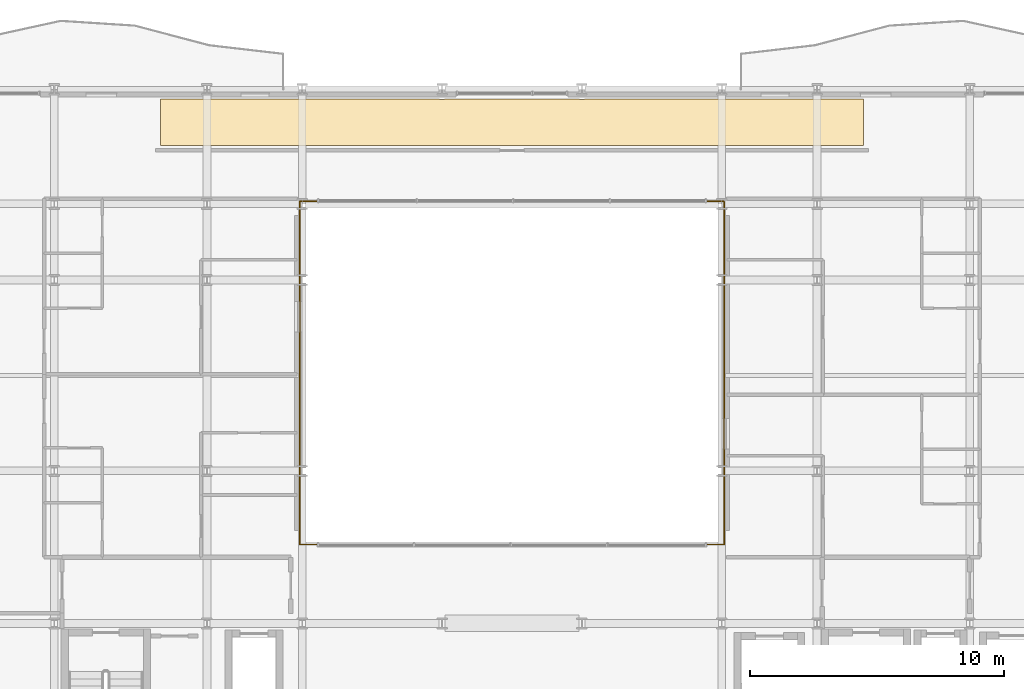
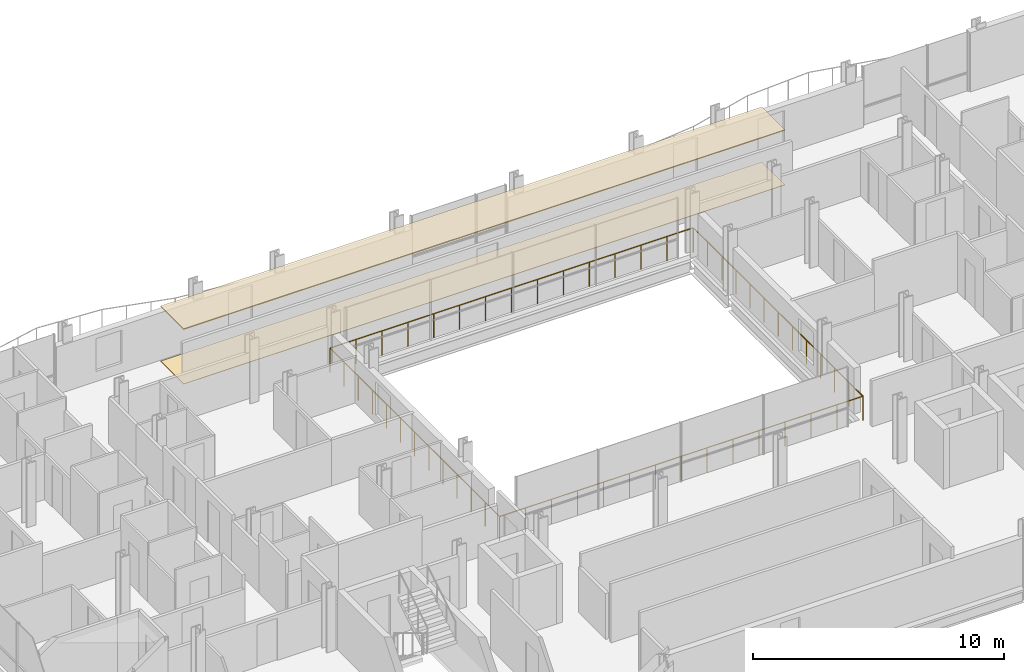
# One storey, part 39 of 41: 2 coverings, 2 railings.
"""IFC4 building model written with IfcOpenShell, lengths in metres."""

from ifc_helpers import new_model, si_unit, direction, frame, origin, origin_2d, place, context, subcontext, project, spatial, polyline, circle, outline, extrude, material, layer, layer_set, type_object, element, save


model = new_model("IFC4")

# Units and contexts
model_context = context("Model", 3, precision=1e-05, world=origin(), true_north=direction((0.0, 1.0)))
body_context = subcontext(model_context, "Body", "Model", "MODEL_VIEW")
ifc_project = project(units=[si_unit("LENGTHUNIT", "METRE"), si_unit("AREAUNIT", "SQUARE_METRE"), si_unit("VOLUMEUNIT", "CUBIC_METRE"), si_unit("PLANEANGLEUNIT", "RADIAN"), si_unit("MASSUNIT", "GRAM", prefix="KILO")], contexts=[model_context])

# Site, building, storey
site_placement = place(None, origin())
site = spatial("IfcSite", under=ifc_project, at=site_placement, CompositionType="ELEMENT")
building_placement = place(site_placement, origin())
building = spatial("IfcBuilding", under=site, at=building_placement, Name="Brevholm Reach", CompositionType="ELEMENT")
storey_placement = place(building_placement, frame((0.0, 0.0, 86.89990234375)))
storey = spatial("IfcBuildingStorey", under=building, at=storey_placement, Name="L25", CompositionType="ELEMENT", Elevation=86.89990234375)

# Coverings
ifc_material_1 = material(Name="Perforated Mineral-Fibre Class-A Acoustic Suspended Ceiling", Category="gypsum")
ifc_layer_1 = layer(ifc_material_1, 0.044921875)
ifc_layer_set_1 = layer_set([ifc_layer_1], Name="Perforated Mineral-Fibre Class-A Acoustic Suspended Ceiling")
covering_type_1 = type_object("IfcCoveringType", Name="COV-CLG-AC", PredefinedType="CEILING", material=ifc_layer_set_1)
covering_1_placement = place(storey_placement, frame((0.0, 0.0, 2.655029296875)))
element("IfcCovering", 1, at=covering_1_placement, inside=storey, type_object=covering_type_1, Name="L25 Suspended Ceiling L25-76", PredefinedType="CEILING", context=body_context, shape_type="SweptSolid", body=[
    extrude(outline(polyline([(16.179931640625, 30.6201171875), (17.876220703125, 30.6201171875), (17.8837890625, 30.6171875), (17.922119140625, 30.607666015625), (17.960693359375, 30.601806640625), (18.0, 30.60009765625), (18.039306640625, 30.601806640625), (18.077880859375, 30.607666015625), (18.1162109375, 30.6171875), (18.123779296875, 30.6201171875), (21.626220703125, 30.6201171875), (21.6337890625, 30.6171875), (21.672119140625, 30.607666015625), (21.710693359375, 30.601806640625), (21.75, 30.60009765625), (21.789306640625, 30.601806640625), (21.827880859375, 30.607666015625), (21.8662109375, 30.6171875), (21.873779296875, 30.6201171875), (27.126220703125, 30.6201171875), (27.1337890625, 30.6171875), (27.172119140625, 30.607666015625), (27.210693359375, 30.601806640625), (27.25, 30.60009765625), (27.289306640625, 30.601806640625), (27.327880859375, 30.607666015625), (27.3662109375, 30.6171875), (27.373779296875, 30.6201171875), (32.626220703125, 30.6201171875), (32.6337890625, 30.6171875), (32.672119140625, 30.607666015625), (32.710693359375, 30.601806640625), (32.75, 30.60009765625), (32.789306640625, 30.601806640625), (32.827880859375, 30.607666015625), (32.8662109375, 30.6171875), (32.873779296875, 30.6201171875), (38.126220703125, 30.6201171875), (38.1337890625, 30.6171875), (38.172119140625, 30.607666015625), (38.210693359375, 30.601806640625), (38.25, 30.60009765625), (38.289306640625, 30.601806640625), (38.327880859375, 30.607666015625), (38.3662109375, 30.6171875), (38.373779296875, 30.6201171875), (41.876220703125, 30.6201171875), (41.8837890625, 30.6171875), (41.922119140625, 30.607666015625), (41.960693359375, 30.601806640625), (42.0, 30.60009765625), (42.039306640625, 30.601806640625), (42.077880859375, 30.607666015625), (42.1162109375, 30.6171875), (42.123779296875, 30.6201171875), (43.820068359375, 30.6201171875), (43.820068359375, 28.783935546875), (16.179931640625, 28.783935546875), (16.179931640625, 30.6201171875)])), origin(), (0.0, 0.0, 1.0), 0.045166015625),
])
ifc_material_2 = material(Name="Engineered European Oak Acoustic Plank Flooring", Category="timber")
ifc_layer_2 = layer(ifc_material_2, 0.02197265625)
ifc_layer_set_2 = layer_set([ifc_layer_2], Name="Engineered European Oak Acoustic Plank Flooring")
covering_type_2 = type_object("IfcCoveringType", Name="COV-FLR-OAK", PredefinedType="FLOORING", material=ifc_layer_set_2)
covering_2_placement = place(storey_placement, origin())
element("IfcCovering", 2, at=covering_2_placement, inside=storey, type_object=covering_type_2, Name="L25 Floor Finish L25-76", PredefinedType="FLOORING", context=body_context, shape_type="SweptSolid", body=[
    extrude(outline(polyline([(16.179931640625, 30.6201171875), (17.876220703125, 30.6201171875), (17.8837890625, 30.6171875), (17.922119140625, 30.607666015625), (17.960693359375, 30.601806640625), (18.0, 30.60009765625), (18.039306640625, 30.601806640625), (18.077880859375, 30.607666015625), (18.1162109375, 30.6171875), (18.123779296875, 30.6201171875), (21.626220703125, 30.6201171875), (21.6337890625, 30.6171875), (21.672119140625, 30.607666015625), (21.710693359375, 30.601806640625), (21.75, 30.60009765625), (21.789306640625, 30.601806640625), (21.827880859375, 30.607666015625), (21.8662109375, 30.6171875), (21.873779296875, 30.6201171875), (27.126220703125, 30.6201171875), (27.1337890625, 30.6171875), (27.172119140625, 30.607666015625), (27.210693359375, 30.601806640625), (27.25, 30.60009765625), (27.289306640625, 30.601806640625), (27.327880859375, 30.607666015625), (27.3662109375, 30.6171875), (27.373779296875, 30.6201171875), (32.626220703125, 30.6201171875), (32.6337890625, 30.6171875), (32.672119140625, 30.607666015625), (32.710693359375, 30.601806640625), (32.75, 30.60009765625), (32.789306640625, 30.601806640625), (32.827880859375, 30.607666015625), (32.8662109375, 30.6171875), (32.873779296875, 30.6201171875), (38.126220703125, 30.6201171875), (38.1337890625, 30.6171875), (38.172119140625, 30.607666015625), (38.210693359375, 30.601806640625), (38.25, 30.60009765625), (38.289306640625, 30.601806640625), (38.327880859375, 30.607666015625), (38.3662109375, 30.6171875), (38.373779296875, 30.6201171875), (41.876220703125, 30.6201171875), (41.8837890625, 30.6171875), (41.922119140625, 30.607666015625), (41.960693359375, 30.601806640625), (42.0, 30.60009765625), (42.039306640625, 30.601806640625), (42.077880859375, 30.607666015625), (42.1162109375, 30.6171875), (42.123779296875, 30.6201171875), (43.820068359375, 30.6201171875), (43.820068359375, 28.783935546875), (16.179931640625, 28.783935546875), (16.179931640625, 30.6201171875)])), origin(), (0.0, 0.0, 1.0), 0.022216796875),
])

# Railings
ifc_material_3 = material(Name="Brushed Stainless Steel EN 1.4401 and Laminated Glass", Category="steel")
railing_type = type_object("IfcRailingType", Name="RAL-TERR-1200", PredefinedType="BALUSTRADE", material=ifc_material_3)
railing_1_placement = place(storey_placement, frame((21.64990234375, 13.10009765625, 0.0)))
element("IfcRailing", 3, at=railing_1_placement, inside=storey, type_object=railing_type, Name="L25 Guard Balustrade RAL-L25-AT-VOID-SW", PredefinedType="BALUSTRADE", context=body_context, shape_type="SweptSolid", body=[
    extrude(circle(Radius=0.02392578125, at=origin_2d()), frame((0.0, 0.0, 1.17578125), z_axis=(1.0, 0.0, 0.0), x_axis=(0.0, 1.0, 0.0)), (0.0, 0.0, 1.0), 16.7001953125),
    extrude(circle(Radius=0.02392578125, at=origin_2d()), frame((16.7001953125, 0.0, 1.17578125), z_axis=(0.0, 1.0, 0.0), x_axis=(-1.0, 0.0, 0.0)), (0.0, 0.0, 1.0), 13.47998046875),
    extrude(circle(Radius=0.02099609375, at=origin_2d()), origin(), (0.0, 0.0, 1.0), 1.15185546875),
    extrude(circle(Radius=0.02099609375, at=origin_2d()), frame((1.19287109375, 0.0, 0.0)), (0.0, 0.0, 1.0), 1.15185546875),
    extrude(circle(Radius=0.02099609375, at=origin_2d()), frame((2.3857421875, 0.0, 0.0)), (0.0, 0.0, 1.0), 1.15185546875),
    extrude(circle(Radius=0.02099609375, at=origin_2d()), frame((3.57861328125, 0.0, 0.0)), (0.0, 0.0, 1.0), 1.15185546875),
    extrude(circle(Radius=0.02099609375, at=origin_2d()), frame((4.771484375, 0.0, 0.0)), (0.0, 0.0, 1.0), 1.15185546875),
    extrude(circle(Radius=0.02099609375, at=origin_2d()), frame((5.96435546875, 0.0, 0.0)), (0.0, 0.0, 1.0), 1.15185546875),
    extrude(circle(Radius=0.02099609375, at=origin_2d()), frame((7.1572265625, 0.0, 0.0)), (0.0, 0.0, 1.0), 1.15185546875),
    extrude(circle(Radius=0.02099609375, at=origin_2d()), frame((8.35009765625, 0.0, 0.0)), (0.0, 0.0, 1.0), 1.15185546875),
    extrude(circle(Radius=0.02099609375, at=origin_2d()), frame((9.54296875, 0.0, 0.0)), (0.0, 0.0, 1.0), 1.15185546875),
    extrude(circle(Radius=0.02099609375, at=origin_2d()), frame((10.73583984375, 0.0, 0.0)), (0.0, 0.0, 1.0), 1.15185546875),
    extrude(circle(Radius=0.02099609375, at=origin_2d()), frame((11.9287109375, 0.0, 0.0)), (0.0, 0.0, 1.0), 1.15185546875),
    extrude(circle(Radius=0.02099609375, at=origin_2d()), frame((13.12158203125, 0.0, 0.0)), (0.0, 0.0, 1.0), 1.15185546875),
    extrude(circle(Radius=0.02099609375, at=origin_2d()), frame((14.314453125, 0.0, 0.0)), (0.0, 0.0, 1.0), 1.15185546875),
    extrude(circle(Radius=0.02099609375, at=origin_2d()), frame((15.50732421875, 0.0, 0.0)), (0.0, 0.0, 1.0), 1.15185546875),
    extrude(circle(Radius=0.02099609375, at=origin_2d()), frame((16.7001953125, 0.0, 0.0)), (0.0, 0.0, 1.0), 1.15185546875),
    extrude(circle(Radius=0.02099609375, at=origin_2d()), frame((16.7001953125, 1.123291015625, 0.0)), (0.0, 0.0, 1.0), 1.15185546875),
    extrude(circle(Radius=0.02099609375, at=origin_2d()), frame((16.7001953125, 2.24658203125, 0.0)), (0.0, 0.0, 1.0), 1.15185546875),
    extrude(circle(Radius=0.02099609375, at=origin_2d()), frame((16.7001953125, 3.3701171875, 0.0)), (0.0, 0.0, 1.0), 1.15185546875),
    extrude(circle(Radius=0.02099609375, at=origin_2d()), frame((16.7001953125, 4.493408203125, 0.0)), (0.0, 0.0, 1.0), 1.15185546875),
    extrude(circle(Radius=0.02099609375, at=origin_2d()), frame((16.7001953125, 5.61669921875, 0.0)), (0.0, 0.0, 1.0), 1.15185546875),
    extrude(circle(Radius=0.02099609375, at=origin_2d()), frame((16.7001953125, 6.739990234375, 0.0)), (0.0, 0.0, 1.0), 1.15185546875),
    extrude(circle(Radius=0.02099609375, at=origin_2d()), frame((16.7001953125, 7.86328125, 0.0)), (0.0, 0.0, 1.0), 1.15185546875),
    extrude(circle(Radius=0.02099609375, at=origin_2d()), frame((16.7001953125, 8.986572265625, 0.0)), (0.0, 0.0, 1.0), 1.15185546875),
    extrude(circle(Radius=0.02099609375, at=origin_2d()), frame((16.7001953125, 10.10986328125, 0.0)), (0.0, 0.0, 1.0), 1.15185546875),
    extrude(circle(Radius=0.02099609375, at=origin_2d()), frame((16.7001953125, 11.2333984375, 0.0)), (0.0, 0.0, 1.0), 1.15185546875),
    extrude(circle(Radius=0.02099609375, at=origin_2d()), frame((16.7001953125, 12.356689453125, 0.0)), (0.0, 0.0, 1.0), 1.15185546875),
    extrude(circle(Radius=0.02099609375, at=origin_2d()), frame((16.7001953125, 13.47998046875, 0.0)), (0.0, 0.0, 1.0), 1.15185546875),
])
railing_2_placement = place(storey_placement, frame((38.330078125, 26.60009765625, 0.0)))
element("IfcRailing", 4, at=railing_2_placement, inside=storey, type_object=railing_type, Name="L25 Guard Balustrade RAL-L25-AT-VOID-NE", PredefinedType="BALUSTRADE", context=body_context, shape_type="SweptSolid", body=[
    extrude(circle(Radius=0.02392578125, at=origin_2d()), frame((0.0, 0.0, 1.17578125), z_axis=(-1.0, 0.0, 0.0), x_axis=(0.0, -1.0, 0.0)), (0.0, 0.0, 1.0), 16.68017578125),
    extrude(circle(Radius=0.02392578125, at=origin_2d()), frame((-16.68017578125, 0.0, 1.17578125), z_axis=(0.0, -1.0, 0.0), x_axis=(1.0, 0.0, 0.0)), (0.0, 0.0, 1.0), 13.47998046875),
    extrude(circle(Radius=0.02099609375, at=origin_2d()), origin(), (0.0, 0.0, 1.0), 1.15185546875),
    extrude(circle(Radius=0.02099609375, at=origin_2d()), frame((-1.19140625, 0.0, 0.0)), (0.0, 0.0, 1.0), 1.15185546875),
    extrude(circle(Radius=0.02099609375, at=origin_2d()), frame((-2.3828125, 0.0, 0.0)), (0.0, 0.0, 1.0), 1.15185546875),
    extrude(circle(Radius=0.02099609375, at=origin_2d()), frame((-3.57421875, 0.0, 0.0)), (0.0, 0.0, 1.0), 1.15185546875),
    extrude(circle(Radius=0.02099609375, at=origin_2d()), frame((-4.765869140625, 0.0, 0.0)), (0.0, 0.0, 1.0), 1.15185546875),
    extrude(circle(Radius=0.02099609375, at=origin_2d()), frame((-5.957275390625, 0.0, 0.0)), (0.0, 0.0, 1.0), 1.15185546875),
    extrude(circle(Radius=0.02099609375, at=origin_2d()), frame((-7.148681640625, 0.0, 0.0)), (0.0, 0.0, 1.0), 1.15185546875),
    extrude(circle(Radius=0.02099609375, at=origin_2d()), frame((-8.340087890625, 0.0, 0.0)), (0.0, 0.0, 1.0), 1.15185546875),
    extrude(circle(Radius=0.02099609375, at=origin_2d()), frame((-9.531494140625, 0.0, 0.0)), (0.0, 0.0, 1.0), 1.15185546875),
    extrude(circle(Radius=0.02099609375, at=origin_2d()), frame((-10.722900390625, 0.0, 0.0)), (0.0, 0.0, 1.0), 1.15185546875),
    extrude(circle(Radius=0.02099609375, at=origin_2d()), frame((-11.914306640625, 0.0, 0.0)), (0.0, 0.0, 1.0), 1.15185546875),
    extrude(circle(Radius=0.02099609375, at=origin_2d()), frame((-13.10595703125, 0.0, 0.0)), (0.0, 0.0, 1.0), 1.15185546875),
    extrude(circle(Radius=0.02099609375, at=origin_2d()), frame((-14.29736328125, 0.0, 0.0)), (0.0, 0.0, 1.0), 1.15185546875),
    extrude(circle(Radius=0.02099609375, at=origin_2d()), frame((-15.48876953125, 0.0, 0.0)), (0.0, 0.0, 1.0), 1.15185546875),
    extrude(circle(Radius=0.02099609375, at=origin_2d()), frame((-16.68017578125, 0.0, 0.0)), (0.0, 0.0, 1.0), 1.15185546875),
    extrude(circle(Radius=0.02099609375, at=origin_2d()), frame((-16.68017578125, -1.123291015625, 0.0)), (0.0, 0.0, 1.0), 1.15185546875),
    extrude(circle(Radius=0.02099609375, at=origin_2d()), frame((-16.68017578125, -2.24658203125, 0.0)), (0.0, 0.0, 1.0), 1.15185546875),
    extrude(circle(Radius=0.02099609375, at=origin_2d()), frame((-16.68017578125, -3.3701171875, 0.0)), (0.0, 0.0, 1.0), 1.15185546875),
    extrude(circle(Radius=0.02099609375, at=origin_2d()), frame((-16.68017578125, -4.493408203125, 0.0)), (0.0, 0.0, 1.0), 1.15185546875),
    extrude(circle(Radius=0.02099609375, at=origin_2d()), frame((-16.68017578125, -5.61669921875, 0.0)), (0.0, 0.0, 1.0), 1.15185546875),
    extrude(circle(Radius=0.02099609375, at=origin_2d()), frame((-16.68017578125, -6.739990234375, 0.0)), (0.0, 0.0, 1.0), 1.15185546875),
    extrude(circle(Radius=0.02099609375, at=origin_2d()), frame((-16.68017578125, -7.86328125, 0.0)), (0.0, 0.0, 1.0), 1.15185546875),
    extrude(circle(Radius=0.02099609375, at=origin_2d()), frame((-16.68017578125, -8.986572265625, 0.0)), (0.0, 0.0, 1.0), 1.15185546875),
    extrude(circle(Radius=0.02099609375, at=origin_2d()), frame((-16.68017578125, -10.10986328125, 0.0)), (0.0, 0.0, 1.0), 1.15185546875),
    extrude(circle(Radius=0.02099609375, at=origin_2d()), frame((-16.68017578125, -11.2333984375, 0.0)), (0.0, 0.0, 1.0), 1.15185546875),
    extrude(circle(Radius=0.02099609375, at=origin_2d()), frame((-16.68017578125, -12.356689453125, 0.0)), (0.0, 0.0, 1.0), 1.15185546875),
    extrude(circle(Radius=0.02099609375, at=origin_2d()), frame((-16.68017578125, -13.47998046875, 0.0)), (0.0, 0.0, 1.0), 1.15185546875),
])

save(model, "model.ifc")
